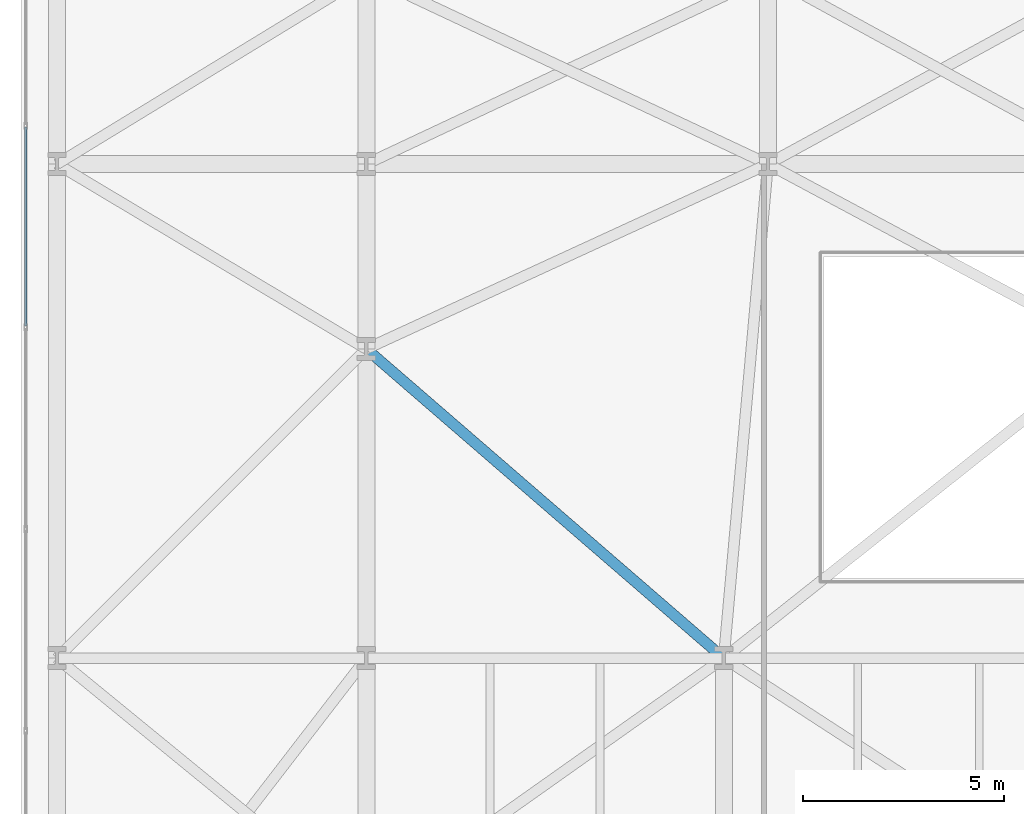
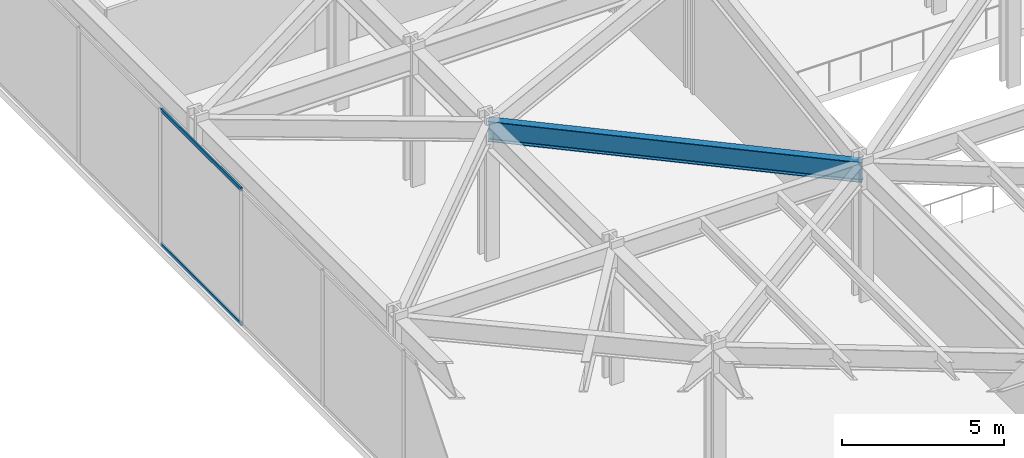
# One storey, part 9 of 29: 2 members, 1 beam, 1 element without a shape of its own.
"""IFC4 building model written with IfcOpenShell, lengths in metres."""

from ifc_helpers import new_model, si_unit, direction, frame, origin, origin_2d, place, context, subcontext, project, spatial, hollow_rectangle, i_section, extrude, material, layer, layer_set, material_profile, profile_set, type_object, element, aggregate, save


model = new_model("IFC4")

# Units and contexts
model_context = context("Model", 3, precision=1e-05, world=origin(), true_north=direction((0.0, 1.0)))
body_context = subcontext(model_context, "Body", "Model", "MODEL_VIEW")
ifc_project = project(units=[si_unit("LENGTHUNIT", "METRE"), si_unit("AREAUNIT", "SQUARE_METRE"), si_unit("VOLUMEUNIT", "CUBIC_METRE"), si_unit("PLANEANGLEUNIT", "RADIAN"), si_unit("MASSUNIT", "GRAM", prefix="KILO")], contexts=[model_context])

# Site, building, storey
site_placement = place(None, origin())
site = spatial("IfcSite", under=ifc_project, at=site_placement, CompositionType="ELEMENT")
building_placement = place(site_placement, origin())
building = spatial("IfcBuilding", under=site, at=building_placement, Name="Kravanh Interchange Tower", CompositionType="ELEMENT")
storey_placement = place(building_placement, frame((0.0, 0.0, 5.39990234375)))
storey = spatial("IfcBuildingStorey", under=building, at=storey_placement, Name="L01", CompositionType="ELEMENT", Elevation=5.39990234375)

# Curtain wall, members
ifc_material_1 = material(Name="Anodised Bronze Aluminium", Category="aluminium")
ifc_layer = layer(ifc_material_1, 0.179931640625)
ifc_layer_set = layer_set([ifc_layer], Name="Unitised Curtain Wall System CW-POD Podium Concourse")
curtain_wall_type = type_object("IfcCurtainWallType", Name="Unitised Curtain Wall System CW-POD Podium Concourse", PredefinedType="NOTDEFINED", material=ifc_layer_set)
curtain_wall_placement = place(storey_placement, origin())
curtain_wall = element("IfcCurtainWall", 1, at=curtain_wall_placement, inside=storey, type_object=curtain_wall_type, Name="L01 Unitised Curtain Wall CW-L01-01", PredefinedType="NOTDEFINED")
ifc_material_2 = material(Name="Anodised Bronze Aluminium", Category="aluminium")
ifc_material_profile_1 = material_profile(ifc_material_2, hollow_rectangle(XDim=0.06005859375, YDim=0.139892578125, WallThickness=0.00390625, at=origin_2d()), Name="ALU60X140X4")
ifc_profile_set_1 = profile_set([ifc_material_profile_1], Name="Anodised Bronze Aluminium")
member_type = type_object("IfcMemberType", Name="Curtain Wall Transom ALU60X140X4 Bronze", PredefinedType="USERDEFINED", material=ifc_profile_set_1)
member_1_placement = place(storey_placement, frame((0.1201171875, 22.7705078125, 0.030029296875), z_axis=(0.0, 1.0, 0.0), x_axis=(-1.0, 0.0, 0.0)))
member_1 = element("IfcMember", 2, at=member_1_placement, type_object=member_type, Name="CW-POD transom 5.1", ObjectType="TRANSOM", PredefinedType="USERDEFINED", context=body_context, shape_type="SweptSolid", body=[
    extrude(hollow_rectangle(XDim=0.06005859375, YDim=0.139892578125, WallThickness=0.00390625, at=origin_2d()), origin(), (0.0, 0.0, 1.0), 4.95166015625),
])
member_2_placement = place(storey_placement, frame((0.1201171875, 22.7705078125, 5.10009765625), z_axis=(0.0, 1.0, 0.0), x_axis=(-1.0, 0.0, 0.0)))
member_2 = element("IfcMember", 3, at=member_2_placement, type_object=member_type, Name="CW-POD transom 5.2", ObjectType="TRANSOM", PredefinedType="USERDEFINED", context=body_context, shape_type="SweptSolid", body=[
    extrude(hollow_rectangle(XDim=0.06005859375, YDim=0.139892578125, WallThickness=0.00390625, at=origin_2d()), origin(), (0.0, 0.0, 1.0), 4.95166015625),
])
aggregate(curtain_wall, [member_1, member_2])

# Beam
ifc_material_3 = material(Name="Structural Steel S355", Category="steel")
ifc_material_profile_2 = material_profile(ifc_material_3, i_section(OverallWidth=0.26708984375, OverallDepth=0.761962890625, WebThickness=0.014404296875, FlangeThickness=0.021484375, FilletRadius=0.02490234375, at=origin_2d()), Name="W30X116")
ifc_profile_set_2 = profile_set([ifc_material_profile_2], Name="Structural Steel S355")
beam_type = type_object("IfcBeamType", Name="Floor Spandrel W30X116 Structural Steel S355", PredefinedType="SPANDREL", material=ifc_profile_set_2)
beam_placement = place(storey_placement, frame((17.5, 14.5, 4.7490234375), z_axis=(-0.756248034465, 0.654285037554, 0.0), x_axis=(-0.654285037554, -0.756248034465, 0.0)))
element("IfcBeam", 4, at=beam_placement, inside=storey, type_object=beam_type, Name="L01 Perimeter Spandrel 42", PredefinedType="SPANDREL", context=body_context, shape_type="SweptSolid", body=[
    extrude(i_section(OverallWidth=0.26708984375, OverallDepth=0.761962890625, WebThickness=0.014404296875, FlangeThickness=0.021484375, FilletRadius=0.02490234375, at=origin_2d()), origin(), (0.0, 0.0, 1.0), 11.7685546875),
])

save(model, "model.ifc")
